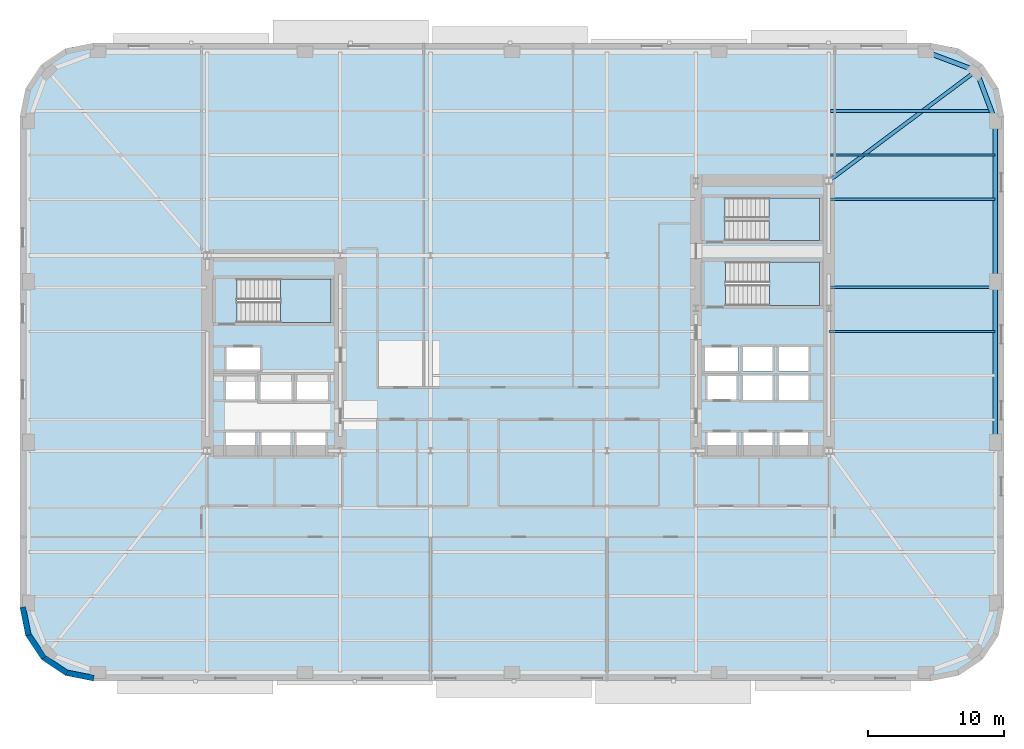
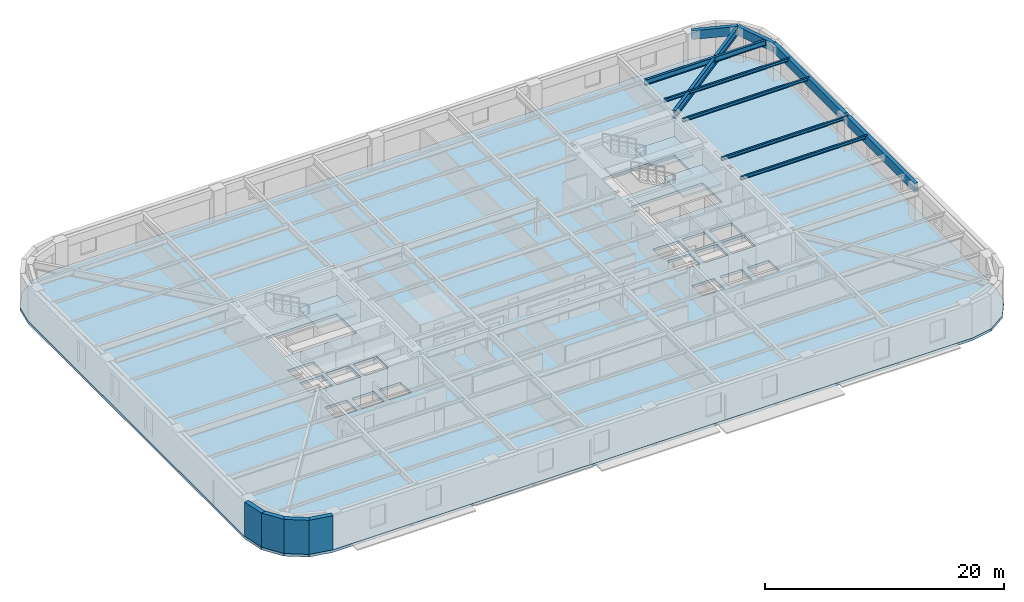
# One storey, part 3 of 14: 10 beams, 4 slabs, 4 walls, 3 elements without a shape of their own.
"""IFC4 building model written with IfcOpenShell, lengths in metres."""

from ifc_helpers import new_model, si_unit, direction, frame, frame_2d, origin, origin_2d, place, context, subcontext, project, spatial, polyline, rectangle, hollow_rectangle, i_section, outline, extrude, material, layer, layer_set, material_profile, profile_set, type_object, element, aggregate, save


model = new_model("IFC4")

# Units and contexts
model_context = context("Model", 3, precision=1e-05, world=origin(), true_north=direction((0.0, 1.0)))
body_context = subcontext(model_context, "Body", "Model", "MODEL_VIEW")
ifc_project = project(units=[si_unit("LENGTHUNIT", "METRE"), si_unit("AREAUNIT", "SQUARE_METRE"), si_unit("VOLUMEUNIT", "CUBIC_METRE"), si_unit("PLANEANGLEUNIT", "RADIAN"), si_unit("MASSUNIT", "GRAM", prefix="KILO")], contexts=[model_context])

# Site, building, storey
site_placement = place(None, origin())
site = spatial("IfcSite", under=ifc_project, at=site_placement, CompositionType="ELEMENT")
building_placement = place(site_placement, origin())
building = spatial("IfcBuilding", under=site, at=building_placement, Name="Kolvaren Arena Tower", CompositionType="ELEMENT")
storey_placement = place(building_placement, frame((0.0, 0.0, 79.5)))
storey = spatial("IfcBuildingStorey", under=building, at=storey_placement, Name="L17", CompositionType="ELEMENT", Elevation=79.5)

# Beams
ifc_material_1 = material(Name="Steel CSA G40.21 350W", Category="steel")
ifc_material_profile_1 = material_profile(ifc_material_1, i_section(OverallWidth=0.2119140625, OverallDepth=0.54296875, WebThickness=0.01318359375, FlangeThickness=0.0244140625, FilletRadius=0.013916015625, at=origin_2d()), Name="W530x150")
ifc_profile_set_1 = profile_set([ifc_material_profile_1], Name="Steel CSA G40.21 350W")
beam_type_1 = type_object("IfcBeamType", Name="BEAM-F1", PredefinedType="BEAM", material=ifc_profile_set_1)
beam_1_placement = place(storey_placement, frame((60.485107421875, 44.5, 3.20849609375), z_axis=(1.0, 0.0, 0.0), x_axis=(0.0, 1.0, 0.0)))
element("IfcBeam", 1, at=beam_1_placement, inside=storey, type_object=beam_type_1, Name="Composite Floor Beam (L17)", PredefinedType="BEAM", context=body_context, shape_type="SweptSolid", body=[
    extrude(i_section(OverallWidth=0.2119140625, OverallDepth=0.54296875, WebThickness=0.01318359375, FlangeThickness=0.0244140625, FilletRadius=0.013916015625, at=origin_2d()), origin(), (0.0, 0.0, 1.0), 11.83349609375),
])
ifc_material_profile_2 = material_profile(ifc_material_1, i_section(OverallWidth=0.27001953125, OverallDepth=0.77294921875, WebThickness=0.019287109375, FlangeThickness=0.033447265625, FilletRadius=0.01806640625, at=origin_2d()), Name="W760x257")
ifc_profile_set_2 = profile_set([ifc_material_profile_2], Name="Steel CSA G40.21 350W")
beam_type_2 = type_object("IfcBeamType", Name="GIRD-T1", PredefinedType="BEAM", material=ifc_profile_set_2)
beam_2_placement = place(storey_placement, frame((71.208740234375, 47.458740234375, 3.093505859375), z_axis=(-0.801249936397, -0.598329791523, 0.0), x_axis=(0.598329791523, -0.801249936397, 0.0)))
element("IfcBeam", 2, at=beam_2_placement, inside=storey, type_object=beam_type_2, Name="Corner Diagonal Tie Girder (L17)", PredefinedType="BEAM", context=body_context, shape_type="SweptSolid", body=[
    extrude(i_section(OverallWidth=0.27001953125, OverallDepth=0.77294921875, WebThickness=0.019287109375, FlangeThickness=0.033447265625, FilletRadius=0.01806640625, at=origin_2d()), origin(), (0.0, 0.0, 1.0), 13.55224609375),
])
ifc_material_profile_3 = material_profile(ifc_material_1, i_section(OverallWidth=0.1669921875, OverallDepth=0.31689453125, WebThickness=0.007568359375, FlangeThickness=0.01318359375, FilletRadius=0.010009765625, at=origin_2d()), Name="W310x52")
ifc_profile_set_3 = profile_set([ifc_material_profile_3], Name="Steel CSA G40.21 350W")
beam_type_3 = type_object("IfcBeamType", Name="JOIST-02", PredefinedType="JOIST", material=ifc_profile_set_3)
for number, where, z_axis, x_axis, name in (
    (3, (60.3701171875, 28.25, 3.321533203125), (1.0, 0.0, 0.0), (0.0, 1.0, 0.0), "Composite Floor Joist (L17)"),
    (4, (60.3701171875, 31.5, 3.321533203125), (1.0, 0.0, 0.0), (0.0, 1.0, 0.0), "Composite Floor Joist (L17)"),
    (5, (60.3701171875, 38.0, 3.321533203125), (1.0, 0.0, 0.0), (0.0, 1.0, 0.0), "Composite Floor Joist (L17)"),
):
    element("IfcBeam", number, at=place(storey_placement, frame(where, z_axis=z_axis, x_axis=x_axis)), inside=storey, type_object=beam_type_3, Name=name, PredefinedType="JOIST", context=body_context, shape_type="SweptSolid", body=[
        extrude(i_section(OverallWidth=0.1669921875, OverallDepth=0.31689453125, WebThickness=0.007568359375, FlangeThickness=0.01318359375, FilletRadius=0.010009765625, at=origin_2d()), origin(), (0.0, 0.0, 1.0), 12.22998046875),
    ])
beam_3_placement = place(storey_placement, frame((60.485107421875, 41.25, 3.321533203125), z_axis=(1.0, 0.0, 0.0), x_axis=(0.0, 1.0, 0.0)))
element("IfcBeam", 6, at=beam_3_placement, inside=storey, type_object=beam_type_3, Name="Composite Floor Joist (L17)", PredefinedType="JOIST", context=body_context, shape_type="SweptSolid", body=[
    extrude(i_section(OverallWidth=0.1669921875, OverallDepth=0.31689453125, WebThickness=0.007568359375, FlangeThickness=0.01318359375, FilletRadius=0.010009765625, at=origin_2d()), origin(), (0.0, 0.0, 1.0), 12.114990234375),
])
ifc_material_2 = material(Name="Steel CSA G40.21 350WT", Category="steel")
ifc_material_profile_4 = material_profile(ifc_material_2, hollow_rectangle(XDim=0.35009765625, YDim=0.89990234375, WallThickness=0.02001953125, at=origin_2d()), Name="HSS 900x350x20")
ifc_profile_set_4 = profile_set([ifc_material_profile_4], Name="Steel CSA G40.21 350WT")
beam_type_4 = type_object("IfcBeamType", Name="SPAND-01", PredefinedType="SPANDREL", material=ifc_profile_set_4)
beam_4_placement = place(storey_placement, frame((72.60009765625, 20.083251953125, 3.030029296875), z_axis=(0.0, 1.0, 0.0), x_axis=(-1.0, 0.0, 0.0)))
element("IfcBeam", 7, at=beam_4_placement, inside=storey, type_object=beam_type_4, Name="Perimeter Spandrel Beam (L17)", PredefinedType="SPANDREL", context=body_context, shape_type="SweptSolid", body=[
    extrude(hollow_rectangle(XDim=0.35009765625, YDim=0.89990234375, WallThickness=0.02001953125, at=origin_2d()), origin(), (0.0, 0.0, 1.0), 11.83349609375),
])
beam_5_placement = place(storey_placement, frame((72.60009765625, 31.916748046875, 3.030029296875), z_axis=(0.0, 1.0, 0.0), x_axis=(-1.0, 0.0, 0.0)))
element("IfcBeam", 8, at=beam_5_placement, inside=storey, type_object=beam_type_4, Name="Perimeter Spandrel Beam (L17)", PredefinedType="SPANDREL", context=body_context, shape_type="SweptSolid", body=[
    extrude(hollow_rectangle(XDim=0.35009765625, YDim=0.89990234375, WallThickness=0.02001953125, at=origin_2d()), origin(), (0.0, 0.0, 1.0), 11.833251953125),
])
for number, where, z_axis, x_axis, name in (
    (9, (72.60009765625, 43.75, 3.030029296875), (-0.351251771955, 0.93628104365, 0.0), (-0.93628104365, -0.351251771955, 0.0), "Perimeter Spandrel Beam (L17)"),
    (10, (71.208740234375, 47.458740234375, 3.030029296875), (-0.93628104365, 0.351251771955, 0.0), (-0.351251771955, -0.93628104365, 0.0), "Perimeter Spandrel Beam (L17)"),
):
    element("IfcBeam", number, at=place(storey_placement, frame(where, z_axis=z_axis, x_axis=x_axis)), inside=storey, type_object=beam_type_4, Name=name, PredefinedType="SPANDREL", context=body_context, shape_type="SweptSolid", body=[
        extrude(hollow_rectangle(XDim=0.35009765625, YDim=0.89990234375, WallThickness=0.02001953125, at=origin_2d()), origin(), (0.0, 0.0, 1.0), 3.961181640625),
    ])

# Stair, slab
ifc_material_3 = material(Name="Concrete 45 MPa", Category="concrete")
stair_type_1 = type_object("IfcStairType", Name="STAIR-CORE-165", PredefinedType="HALF_TURN_STAIR", material=ifc_material_3)
stair_1_placement = place(storey_placement, origin())
stair_1 = element("IfcStair", 11, at=stair_1_placement, inside=storey, type_object=stair_type_1, Name="L17 ST-W1", PredefinedType="HALF_TURN_STAIR")
ifc_layer_1 = layer(ifc_material_3, 0.199951171875)
ifc_layer_set_1 = layer_set([ifc_layer_1], Name="Concrete 45 MPa")
slab_type_1 = type_object("IfcSlabType", Name="SLAB-LAND", PredefinedType="LANDING", material=ifc_layer_set_1)
slab_1_placement = place(storey_placement, frame((0.0, 0.0, 1.675048828125)))
slab_1 = element("IfcSlab", 12, at=slab_1_placement, type_object=slab_type_1, Name="ST-W1 landing 1", PredefinedType="LANDING", context=body_context, shape_type="SweptSolid", body=[
    extrude(outline(polyline([(19.9599609375, 28.89990234375), (23.659912109375, 28.89990234375), (23.659912109375, 32.1298828125), (19.9599609375, 32.1298828125), (19.9599609375, 28.89990234375)])), origin(), (0.0, 0.0, 1.0), 0.199951171875),
])
aggregate(stair_1, [slab_1])

stair_2_placement = place(storey_placement, origin())
stair_2 = element("IfcStair", 13, at=stair_2_placement, inside=storey, type_object=stair_type_1, Name="L17 ST-E1", PredefinedType="HALF_TURN_STAIR")
slab_2_placement = place(storey_placement, frame((0.0, 0.0, 1.675048828125)))
slab_2 = element("IfcSlab", 14, at=slab_2_placement, type_object=slab_type_1, Name="ST-E1 landing 1", PredefinedType="LANDING", context=body_context, shape_type="SweptSolid", body=[
    extrude(outline(polyline([(55.9599609375, 30.14990234375), (59.659912109375, 30.14990234375), (59.659912109375, 33.3798828125), (55.9599609375, 33.3798828125), (55.9599609375, 30.14990234375)])), origin(), (0.0, 0.0, 1.0), 0.199951171875),
])
aggregate(stair_2, [slab_2])

stair_type_2 = type_object("IfcStairType", Name="STAIR-CORE-150", PredefinedType="HALF_TURN_STAIR", material=ifc_material_3)
stair_3_placement = place(storey_placement, origin())
stair_3 = element("IfcStair", 15, at=stair_3_placement, inside=storey, type_object=stair_type_2, Name="L17 ST-E2", PredefinedType="HALF_TURN_STAIR")
slab_3_placement = place(storey_placement, frame((0.0, 0.0, 1.675048828125)))
slab_3 = element("IfcSlab", 16, at=slab_3_placement, type_object=slab_type_1, Name="ST-E2 landing 1", PredefinedType="LANDING", context=body_context, shape_type="SweptSolid", body=[
    extrude(outline(polyline([(55.919921875, 34.949951171875), (59.659912109375, 34.949951171875), (59.659912109375, 38.10009765625), (55.919921875, 38.10009765625), (55.919921875, 34.949951171875)])), origin(), (0.0, 0.0, 1.0), 0.199951171875),
])
aggregate(stair_3, [slab_3])

# Slab
ifc_layer_2 = layer(ifc_material_3, 0.27001953125)
ifc_layer_set_2 = layer_set([ifc_layer_2], Name="Concrete 45 MPa")
slab_type_2 = type_object("IfcSlabType", Name="SLAB-OFF2", PredefinedType="FLOOR", material=ifc_layer_set_2)
slab_4_placement = place(storey_placement, frame((0.0, 0.0, -0.27001953125)))
element("IfcSlab", 17, at=slab_4_placement, inside=storey, type_object=slab_type_2, Name="L17 Primary Structural Slab", PredefinedType="FLOOR", context=body_context, shape_type="SweptSolid", body=[
    extrude(outline(polyline([(67.85009765625, 2.5), (69.91650390625, 2.9111328125), (71.66845703125, 4.08154296875), (72.8388671875, 5.83349609375), (73.25, 7.89990234375), (73.25, 44.10009765625), (72.8388671875, 46.16650390625), (71.66845703125, 47.91845703125), (69.91650390625, 49.0888671875), (67.85009765625, 49.5), (6.14990234375, 49.5), (4.08349609375, 49.0888671875), (2.33154296875, 47.91845703125), (1.1611328125, 46.16650390625), (0.75, 44.10009765625), (0.75, 7.89990234375), (1.1611328125, 5.83349609375), (2.33154296875, 4.08154296875), (4.08349609375, 2.9111328125), (6.14990234375, 2.5), (67.85009765625, 2.5)]), holes=[polyline([(15.93505859375, 19.0849609375), (15.93505859375, 20.81494140625), (18.06494140625, 20.81494140625), (18.06494140625, 19.0849609375), (15.93505859375, 19.0849609375)]), polyline([(18.534912109375, 19.0849609375), (18.534912109375, 20.81494140625), (20.6650390625, 20.81494140625), (20.6650390625, 19.0849609375), (18.534912109375, 19.0849609375)]), polyline([(21.135009765625, 19.0849609375), (21.135009765625, 20.81494140625), (23.264892578125, 20.81494140625), (23.264892578125, 19.0849609375), (21.135009765625, 19.0849609375)]), polyline([(51.39501953125, 19.0849609375), (51.39501953125, 20.81494140625), (53.52490234375, 20.81494140625), (53.52490234375, 19.0849609375), (51.39501953125, 19.0849609375)]), polyline([(54.054931640625, 19.0849609375), (54.054931640625, 20.81494140625), (56.18505859375, 20.81494140625), (56.18505859375, 19.0849609375), (54.054931640625, 19.0849609375)]), polyline([(56.695068359375, 19.0849609375), (56.695068359375, 20.81494140625), (58.824951171875, 20.81494140625), (58.824951171875, 19.0849609375), (56.695068359375, 19.0849609375)]), polyline([(18.4599609375, 23.135009765625), (18.4599609375, 25.06494140625), (20.739990234375, 25.06494140625), (20.739990234375, 23.135009765625), (18.4599609375, 23.135009765625)]), polyline([(21.159912109375, 23.135009765625), (21.159912109375, 25.06494140625), (23.43994140625, 25.06494140625), (23.43994140625, 23.135009765625), (21.159912109375, 23.135009765625)]), polyline([(54.030029296875, 25.014892578125), (56.2099609375, 25.014892578125), (56.2099609375, 23.18505859375), (54.030029296875, 23.18505859375), (54.030029296875, 25.014892578125)]), polyline([(56.669921875, 25.014892578125), (58.85009765625, 25.014892578125), (58.85009765625, 23.18505859375), (56.669921875, 23.18505859375), (56.669921875, 25.014892578125)]), polyline([(15.93505859375, 23.235107421875), (15.93505859375, 24.965087890625), (18.06494140625, 24.965087890625), (18.06494140625, 23.235107421875), (15.93505859375, 23.235107421875)]), polyline([(51.39501953125, 24.965087890625), (53.52490234375, 24.965087890625), (53.52490234375, 23.235107421875), (51.39501953125, 23.235107421875), (51.39501953125, 24.965087890625)]), polyline([(54.030029296875, 25.284912109375), (54.030029296875, 27.114990234375), (56.2099609375, 27.114990234375), (56.2099609375, 25.284912109375), (54.030029296875, 25.284912109375)]), polyline([(56.669921875, 25.284912109375), (56.669921875, 27.114990234375), (58.85009765625, 27.114990234375), (58.85009765625, 25.284912109375), (56.669921875, 25.284912109375)]), polyline([(15.9599609375, 27.06494140625), (18.43994140625, 27.06494140625), (18.43994140625, 25.3349609375), (15.9599609375, 25.3349609375), (15.9599609375, 27.06494140625)]), polyline([(51.219970703125, 25.3349609375), (51.219970703125, 27.06494140625), (53.699951171875, 27.06494140625), (53.699951171875, 25.3349609375), (51.219970703125, 25.3349609375)]), polyline([(16.735107421875, 28.89990234375), (16.735107421875, 32.1298828125), (23.659912109375, 32.1298828125), (23.659912109375, 28.89990234375), (16.735107421875, 28.89990234375)]), polyline([(52.735107421875, 33.3798828125), (59.659912109375, 33.3798828125), (59.659912109375, 30.14990234375), (52.735107421875, 30.14990234375), (52.735107421875, 33.3798828125)]), polyline([(52.695068359375, 38.10009765625), (59.659912109375, 38.10009765625), (59.659912109375, 34.949951171875), (52.695068359375, 34.949951171875), (52.695068359375, 38.10009765625)])]), origin(), (0.0, 0.0, 1.0), 0.27001953125),
])

# Walls
ifc_material_4 = material(Name="Precast concrete C50/60", Category="concrete")
ifc_layer_3 = layer(ifc_material_4, 0.419921875)
ifc_layer_set_3 = layer_set([ifc_layer_3], Name="Precast concrete C50/60")
wall_type = type_object("IfcWallType", Name="EXT-PIER1", PredefinedType="SOLIDWALL", material=ifc_layer_set_3)
for number, where, z_axis, x_axis, name in (
    (18, (1.3671875, 5.87451171875, 0.0), (0.0, 0.0, 1.0), (-0.195135546048, 0.9807762837, 0.0), "Exterior Precast Masonry-Frame Wall (L17)"),
    (19, (2.506103515625, 4.1982421875, 0.0), (0.0, 0.0, 1.0), (-0.555502146192, 0.831515102434, 0.0), "Exterior Precast Masonry-Frame Wall (L17)"),
    (20, (4.2001953125, 3.085693359375, 0.0), (0.0, 0.0, 1.0), (-0.831515102434, 0.555502146192, 0.0), "Exterior Precast Masonry-Frame Wall (L17)"),
    (21, (6.19091796875, 2.7060546875, 0.0), (0.0, 0.0, 1.0), (-0.9807762837, 0.195135546048, 0.0), "Exterior Precast Masonry-Frame Wall (L17)"),
):
    element("IfcWall", number, at=place(storey_placement, frame(where, z_axis=z_axis, x_axis=x_axis)), inside=storey, type_object=wall_type, Name=name, PredefinedType="SOLIDWALL", context=body_context, shape_type="SweptSolid", body=[
        extrude(rectangle(XDim=2.10693359375, YDim=0.419921875, at=frame_2d((1.053466796875, 0.0))), origin(), (0.0, 0.0, 1.0), 3.47998046875),
    ])

save(model, "model.ifc")
